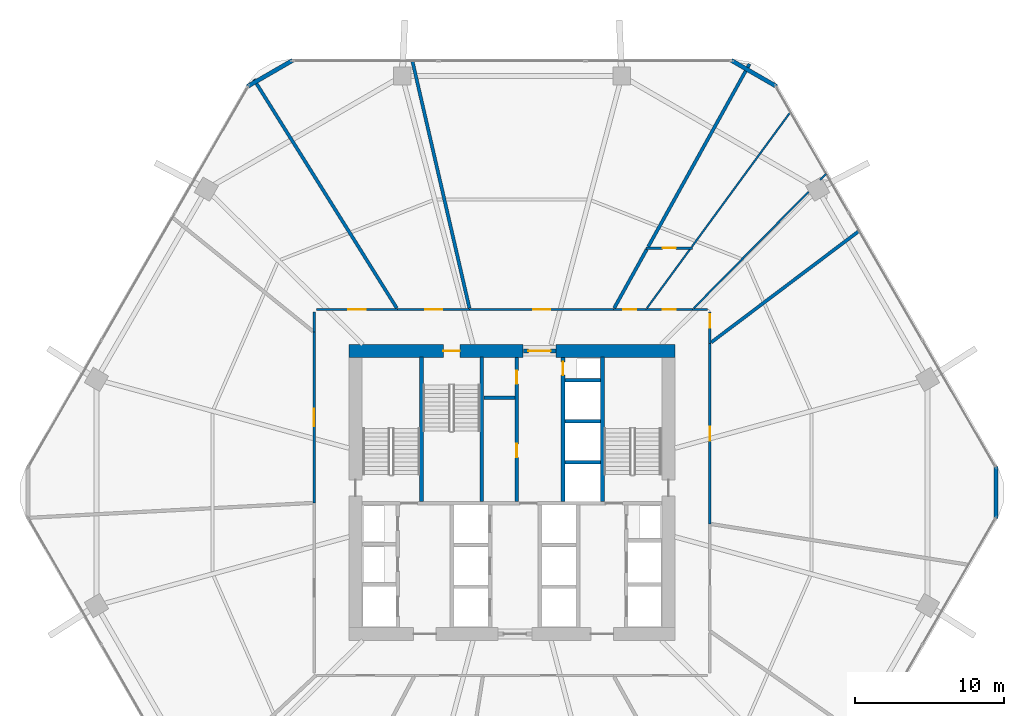
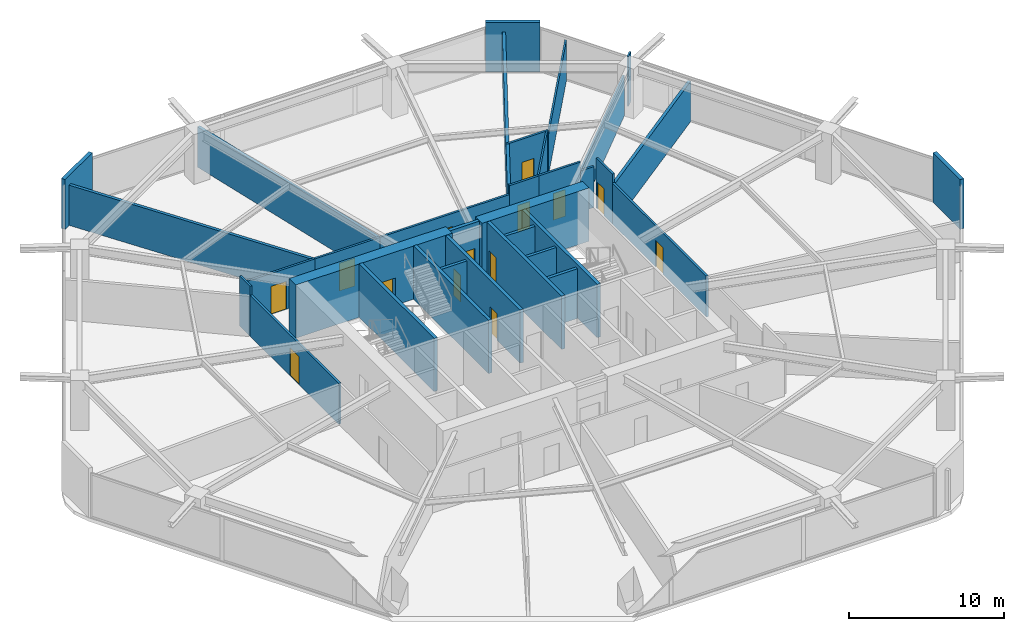
# One storey, part 23 of 26: 35 walls, 14 doors, 14 openings.
"""IFC4 building model written with IfcOpenShell, lengths in metres."""

from ifc_helpers import new_model, si_unit, direction, frame, frame_2d, origin, place, context, subcontext, project, spatial, rectangle, extrude, material, layer, layer_set, type_object, element, fill, save


model = new_model("IFC4")

# Units and contexts
model_context = context("Model", 3, precision=1e-05, world=origin(), true_north=direction((0.0, 1.0)))
body_context = subcontext(model_context, "Body", "Model", "MODEL_VIEW")
ifc_project = project(units=[si_unit("LENGTHUNIT", "METRE"), si_unit("AREAUNIT", "SQUARE_METRE"), si_unit("VOLUMEUNIT", "CUBIC_METRE"), si_unit("PLANEANGLEUNIT", "RADIAN"), si_unit("MASSUNIT", "GRAM", prefix="KILO")], contexts=[model_context])

# Site, building, storey
site_placement = place(None, origin())
site = spatial("IfcSite", under=ifc_project, at=site_placement, CompositionType="ELEMENT")
building_placement = place(site_placement, origin())
building = spatial("IfcBuilding", under=site, at=building_placement, Name="Zuhravey Tower", CompositionType="ELEMENT")
storey_placement = place(building_placement, frame((0.0, 0.0, 28.800048828125)))
storey = spatial("IfcBuildingStorey", under=building, at=storey_placement, Name="L07", CompositionType="ELEMENT", Elevation=28.800048828125)

# Wall
ifc_material_1 = material(Name="Concrete C60/75", Category="concrete")
ifc_layer_1 = layer(ifc_material_1, 0.85009765625)
ifc_layer_set_1 = layer_set([ifc_layer_1], Name="Concrete C60/75")
wall_type_1 = type_object("IfcWallType", Name="Core Shear Wall 850", PredefinedType="SHEAR", material=ifc_layer_set_1)
wall_1_placement = place(storey_placement, frame((46.925048828125, 41.5, 0.0), z_axis=(0.0, 0.0, 1.0), x_axis=(-1.0, 0.0, 0.0)))
element("IfcWall", 1, at=wall_1_placement, inside=storey, type_object=wall_type_1, Name="L07 North-East Core Shear Wall CW85", PredefinedType="SHEAR", context=body_context, shape_type="SweptSolid", body=[
    extrude(rectangle(XDim=7.97509765625, YDim=0.85009765625, at=frame_2d((3.987548828125, 0.0))), origin(), (0.0, 0.0, 1.0), 4.199951171875),
])

# Wall, opening, door
wall_2_placement = place(storey_placement, frame((36.75, 41.5, 0.0), z_axis=(0.0, 0.0, 1.0), x_axis=(-1.0, 0.0, 0.0)))
wall_2 = element("IfcWall", 2, at=wall_2_placement, inside=storey, type_object=wall_type_1, Name="L07 North-West Core Shear Wall CW85", PredefinedType="SHEAR", context=body_context, shape_type="SweptSolid", body=[
    extrude(rectangle(XDim=11.675048828125, YDim=0.85009765625, at=frame_2d((5.83740234375, 0.0))), origin(), (0.0, 0.0, 1.0), 4.199951171875),
])
opening_1_placement = place(wall_2_placement, frame((4.25, 0.0, 0.0)))
opening_1 = element("IfcOpeningElement", 3, at=opening_1_placement, cuts=wall_2, Name="Opening STD1", PredefinedType="OPENING", context=body_context, shape_type="SweptSolid", body=[
    extrude(rectangle(XDim=1.10009765625, YDim=2.14990234375, at=frame_2d((0.550048828125, 1.074951171875))), frame((0.0, 0.43701171875, 0.0), z_axis=(0.0, -1.0, 0.0), x_axis=(1.0, 0.0, 0.0)), (0.0, 0.0, 1.0), 0.8740234375),
])
ifc_material_2 = material(Name="Galvanised fire-rated steel leaf", Category="steel")
door_type_1 = type_object("IfcDoorType", Name="Protected Stair Fire Door 1100x2150", OperationType="NOTDEFINED", PredefinedType="USERDEFINED", material=ifc_material_2)
door_1_placement = place(opening_1_placement, origin())
door_1 = element("IfcDoor", 4, at=door_1_placement, inside=storey, type_object=door_type_1, Name="L07 Stair ST3 Door", ObjectType="EXITDOOR", OperationType="SINGLE_SWING_RIGHT", OverallHeight=2.14990234375, OverallWidth=1.10009765625, PredefinedType="USERDEFINED", context=body_context, shape_type="SweptSolid", body=[
    extrude(rectangle(XDim=1.10009765625, YDim=2.14990234375, at=frame_2d((0.550048828125, 1.074951171875))), frame((0.0, 0.02490234375, 0.0), z_axis=(0.0, -1.0, 0.0), x_axis=(1.0, 0.0, 0.0)), (0.0, 0.0, 1.0), 0.050048828125),
])
fill(opening_1, door_1)

ifc_material_3 = material(Name="Gypsum fire-rated stud partition")
ifc_layer_2 = layer(ifc_material_3, 0.159912109375)
ifc_layer_set_2 = layer_set([ifc_layer_2], Name="Gypsum fire-rated stud partition")
wall_type_2 = type_object("IfcWallType", Name="Corridor Fire Partition 160", PredefinedType="PARTITIONING", material=ifc_layer_set_2)
wall_3_placement = place(storey_placement, frame((49.284912109375, 42.010986328125, 0.0), z_axis=(0.0, 0.0, 1.0), x_axis=(0.0, 1.0, 0.0)))
wall_3 = element("IfcWall", 5, at=wall_3_placement, inside=storey, type_object=wall_type_2, Name="L07 IW16 Partition 019", PredefinedType="PARTITIONING", context=body_context, shape_type="SweptSolid", body=[
    extrude(rectangle(XDim=2.114013671875, YDim=0.159912109375, at=frame_2d((1.05712890625, 0.0))), origin(), (0.0, 0.0, 1.0), 3.919921875),
])
opening_2_placement = place(wall_3_placement, frame((1.047119140625, 0.0, 0.0)))
opening_2 = element("IfcOpeningElement", 6, at=opening_2_placement, cuts=wall_3, Name="Opening RSD1", PredefinedType="OPENING", context=body_context, shape_type="SweptSolid", body=[
    extrude(rectangle(XDim=0.89990234375, YDim=2.10009765625, at=frame_2d((0.449951171875, 1.050048828125))), frame((0.0, 0.092041015625, 0.0), z_axis=(0.0, -1.0, 0.0), x_axis=(1.0, 0.0, 0.0)), (0.0, 0.0, 1.0), 0.183837890625),
])
ifc_material_4 = material(Name="Galvanised fire-rated steel access leaf", Category="steel")
door_type_2 = type_object("IfcDoorType", Name="Riser & Shaft Access Fire Door 900x2100", OperationType="NOTDEFINED", PredefinedType="DOOR", material=ifc_material_4)
door_2_placement = place(opening_2_placement, frame((0.89990234375, 0.0, 0.0), z_axis=(0.0, 0.0, 1.0), x_axis=(-1.0, 0.0, 0.0)))
door_2 = element("IfcDoor", 7, at=door_2_placement, inside=storey, type_object=door_type_2, Name="L07 Door 019.1", OperationType="SINGLE_SWING_RIGHT", OverallHeight=2.10009765625, OverallWidth=0.89990234375, PredefinedType="DOOR", context=body_context, shape_type="SweptSolid", body=[
    extrude(rectangle(XDim=0.89990234375, YDim=2.10009765625, at=frame_2d((0.449951171875, 1.050048828125))), frame((0.0, 0.02490234375, 0.0), z_axis=(0.0, -1.0, 0.0), x_axis=(1.0, 0.0, 0.0)), (0.0, 0.0, 1.0), 0.050048828125),
])
fill(opening_2, door_2)

wall_4_placement = place(storey_placement, frame((48.11474609375, 44.284912109375, 0.0), z_axis=(0.0, 0.0, 1.0), x_axis=(-1.0, 0.0, 0.0)))
wall_4 = element("IfcWall", 8, at=wall_4_placement, inside=storey, type_object=wall_type_2, Name="L07 IW16 Partition 020", PredefinedType="PARTITIONING", context=body_context, shape_type="SweptSolid", body=[
    extrude(rectangle(XDim=3.12353515625, YDim=0.159912109375, at=frame_2d((1.561767578125, 0.0))), origin(), (0.0, 0.0, 1.0), 3.919921875),
])
opening_3_placement = place(wall_4_placement, frame((1.11181640625, 0.0, 0.0)))
opening_3 = element("IfcOpeningElement", 9, at=opening_3_placement, cuts=wall_4, Name="Opening RSD1", PredefinedType="OPENING", context=body_context, shape_type="SweptSolid", body=[
    extrude(rectangle(XDim=0.89990234375, YDim=2.10009765625, at=frame_2d((0.449951171875, 1.050048828125))), frame((0.0, 0.092041015625, 0.0), z_axis=(0.0, -1.0, 0.0), x_axis=(1.0, 0.0, 0.0)), (0.0, 0.0, 1.0), 0.183837890625),
])
door_3_placement = place(opening_3_placement, frame((0.89990234375, 0.0, 0.0), z_axis=(0.0, 0.0, 1.0), x_axis=(-1.0, 0.0, 0.0)))
door_3 = element("IfcDoor", 10, at=door_3_placement, inside=storey, type_object=door_type_2, Name="L07 Door 020.1", OperationType="SINGLE_SWING_LEFT", OverallHeight=2.10009765625, OverallWidth=0.89990234375, PredefinedType="DOOR", context=body_context, shape_type="SweptSolid", body=[
    extrude(rectangle(XDim=0.89990234375, YDim=2.10009765625, at=frame_2d((0.449951171875, 1.050048828125))), frame((0.0, 0.02490234375, 0.0), z_axis=(0.0, -1.0, 0.0), x_axis=(1.0, 0.0, 0.0)), (0.0, 0.0, 1.0), 0.050048828125),
])
fill(opening_3, door_3)

wall_5_placement = place(storey_placement, frame((45.001953125, 48.405029296875, 0.0), z_axis=(0.0, 0.0, 1.0), x_axis=(1.0, 0.0, 0.0)))
wall_5 = element("IfcWall", 11, at=wall_5_placement, inside=storey, type_object=wall_type_2, Name="L07 IW16 Partition 021", PredefinedType="PARTITIONING", context=body_context, shape_type="SweptSolid", body=[
    extrude(rectangle(XDim=3.103759765625, YDim=0.159912109375, at=frame_2d((1.5517578125, 0.0))), origin(), (0.0, 0.0, 1.0), 3.919921875),
])
opening_4_placement = place(wall_5_placement, frame((1.101806640625, 0.0, 0.0)))
opening_4 = element("IfcOpeningElement", 12, at=opening_4_placement, cuts=wall_5, Name="Opening RSD1", PredefinedType="OPENING", context=body_context, shape_type="SweptSolid", body=[
    extrude(rectangle(XDim=0.89990234375, YDim=2.10009765625, at=frame_2d((0.449951171875, 1.050048828125))), frame((0.0, 0.092041015625, 0.0), z_axis=(0.0, -1.0, 0.0), x_axis=(1.0, 0.0, 0.0)), (0.0, 0.0, 1.0), 0.183837890625),
])
door_4_placement = place(opening_4_placement, origin())
door_4 = element("IfcDoor", 13, at=door_4_placement, inside=storey, type_object=door_type_2, Name="L07 Door 021.1", OperationType="SINGLE_SWING_RIGHT", OverallHeight=2.10009765625, OverallWidth=0.89990234375, PredefinedType="DOOR", context=body_context, shape_type="SweptSolid", body=[
    extrude(rectangle(XDim=0.89990234375, YDim=2.10009765625, at=frame_2d((0.449951171875, 1.050048828125))), frame((0.0, 0.02490234375, 0.0), z_axis=(0.0, -1.0, 0.0), x_axis=(1.0, 0.0, 0.0)), (0.0, 0.0, 1.0), 0.050048828125),
])
fill(opening_4, door_4)

wall_6_placement = place(storey_placement, frame((44.9912109375, 44.284912109375, 0.0), z_axis=(0.0, 0.0, 1.0), x_axis=(-1.0, 0.0, 0.0)))
wall_6 = element("IfcWall", 14, at=wall_6_placement, inside=storey, type_object=wall_type_2, Name="L07 IW16 Partition 022", PredefinedType="PARTITIONING", context=body_context, shape_type="SweptSolid", body=[
    extrude(rectangle(XDim=2.181396484375, YDim=0.159912109375, at=frame_2d((1.0908203125, 0.0))), origin(), (0.0, 0.0, 1.0), 3.919921875),
])
opening_5_placement = place(wall_6_placement, frame((0.640869140625, 0.0, 0.0)))
opening_5 = element("IfcOpeningElement", 15, at=opening_5_placement, cuts=wall_6, Name="Opening RSD1", PredefinedType="OPENING", context=body_context, shape_type="SweptSolid", body=[
    extrude(rectangle(XDim=0.89990234375, YDim=2.10009765625, at=frame_2d((0.449951171875, 1.050048828125))), frame((0.0, 0.092041015625, 0.0), z_axis=(0.0, -1.0, 0.0), x_axis=(1.0, 0.0, 0.0)), (0.0, 0.0, 1.0), 0.183837890625),
])
door_5_placement = place(opening_5_placement, frame((0.89990234375, 0.0, 0.0), z_axis=(0.0, 0.0, 1.0), x_axis=(-1.0, 0.0, 0.0)))
door_5 = element("IfcDoor", 16, at=door_5_placement, inside=storey, type_object=door_type_2, Name="L07 Door 022.1", OperationType="SINGLE_SWING_LEFT", OverallHeight=2.10009765625, OverallWidth=0.89990234375, PredefinedType="DOOR", context=body_context, shape_type="SweptSolid", body=[
    extrude(rectangle(XDim=0.89990234375, YDim=2.10009765625, at=frame_2d((0.449951171875, 1.050048828125))), frame((0.0, 0.02490234375, 0.0), z_axis=(0.0, -1.0, 0.0), x_axis=(1.0, 0.0, 0.0)), (0.0, 0.0, 1.0), 0.050048828125),
])
fill(opening_5, door_5)

wall_7_placement = place(storey_placement, frame((42.809814453125, 44.284912109375, 0.0), z_axis=(0.0, 0.0, 1.0), x_axis=(-1.0, 0.0, 0.0)))
wall_7 = element("IfcWall", 17, at=wall_7_placement, inside=storey, type_object=wall_type_2, Name="L07 IW16 Partition 023", PredefinedType="PARTITIONING", context=body_context, shape_type="SweptSolid", body=[
    extrude(rectangle(XDim=9.64599609375, YDim=0.159912109375, at=frame_2d((4.822998046875, 0.0))), origin(), (0.0, 0.0, 1.0), 3.219970703125),
])
opening_6_placement = place(wall_7_placement, frame((4.247802734375, 0.0, 0.0)))
opening_6 = element("IfcOpeningElement", 18, at=opening_6_placement, cuts=wall_7, Name="Opening CLD1", PredefinedType="OPENING", context=body_context, shape_type="SweptSolid", body=[
    extrude(rectangle(XDim=1.14990234375, YDim=2.199951171875, at=frame_2d((0.574951171875, 1.10009765625))), frame((0.0, 0.092041015625, 0.0), z_axis=(0.0, -1.0, 0.0), x_axis=(1.0, 0.0, 0.0)), (0.0, 0.0, 1.0), 0.183837890625),
])
ifc_material_5 = material(Name="Acoustic timber leaf with vision lite", Category="wood")
door_type_3 = type_object("IfcDoorType", Name="Classroom Acoustic Door 1150x2200", OperationType="NOTDEFINED", PredefinedType="DOOR", material=ifc_material_5)
door_6_placement = place(opening_6_placement, frame((1.14990234375, 0.0, 0.0), z_axis=(0.0, 0.0, 1.0), x_axis=(-1.0, 0.0, 0.0)))
door_6 = element("IfcDoor", 19, at=door_6_placement, inside=storey, type_object=door_type_3, Name="L07 Door 023.1", OperationType="SINGLE_SWING_RIGHT", OverallHeight=2.199951171875, OverallWidth=1.14990234375, PredefinedType="DOOR", context=body_context, shape_type="SweptSolid", body=[
    extrude(rectangle(XDim=1.14990234375, YDim=2.199951171875, at=frame_2d((0.574951171875, 1.10009765625))), frame((0.0, 0.02490234375, 0.0), z_axis=(0.0, -1.0, 0.0), x_axis=(1.0, 0.0, 0.0)), (0.0, 0.0, 1.0), 0.050048828125),
])
fill(opening_6, door_6)

wall_8_placement = place(storey_placement, frame((33.163818359375, 44.284912109375, 0.0), z_axis=(0.0, 0.0, 1.0), x_axis=(-1.0, 0.0, 0.0)))
wall_8 = element("IfcWall", 20, at=wall_8_placement, inside=storey, type_object=wall_type_2, Name="L07 IW16 Partition 024", PredefinedType="PARTITIONING", context=body_context, shape_type="SweptSolid", body=[
    extrude(rectangle(XDim=4.84033203125, YDim=0.159912109375, at=frame_2d((2.420166015625, 0.0))), origin(), (0.0, 0.0, 1.0), 3.219970703125),
])
opening_7_placement = place(wall_8_placement, frame((1.84521484375, 0.0, 0.0)))
opening_7 = element("IfcOpeningElement", 21, at=opening_7_placement, cuts=wall_8, Name="Opening CLD1", PredefinedType="OPENING", context=body_context, shape_type="SweptSolid", body=[
    extrude(rectangle(XDim=1.14990234375, YDim=2.199951171875, at=frame_2d((0.574951171875, 1.10009765625))), frame((0.0, 0.092041015625, 0.0), z_axis=(0.0, -1.0, 0.0), x_axis=(1.0, 0.0, 0.0)), (0.0, 0.0, 1.0), 0.183837890625),
])
door_7_placement = place(opening_7_placement, frame((1.14990234375, 0.0, 0.0), z_axis=(0.0, 0.0, 1.0), x_axis=(-1.0, 0.0, 0.0)))
door_7 = element("IfcDoor", 22, at=door_7_placement, inside=storey, type_object=door_type_3, Name="L07 Door 024.1", OperationType="SINGLE_SWING_LEFT", OverallHeight=2.199951171875, OverallWidth=1.14990234375, PredefinedType="DOOR", context=body_context, shape_type="SweptSolid", body=[
    extrude(rectangle(XDim=1.14990234375, YDim=2.199951171875, at=frame_2d((0.574951171875, 1.10009765625))), frame((0.0, 0.02490234375, 0.0), z_axis=(0.0, -1.0, 0.0), x_axis=(1.0, 0.0, 0.0)), (0.0, 0.0, 1.0), 0.050048828125),
])
fill(opening_7, door_7)

wall_9_placement = place(storey_placement, frame((28.323486328125, 44.284912109375, 0.0), z_axis=(0.0, 0.0, 1.0), x_axis=(-1.0, 0.0, 0.0)))
wall_9 = element("IfcWall", 23, at=wall_9_placement, inside=storey, type_object=wall_type_2, Name="L07 IW16 Partition 025", PredefinedType="PARTITIONING", context=body_context, shape_type="SweptSolid", body=[
    extrude(rectangle(XDim=5.448486328125, YDim=0.159912109375, at=frame_2d((2.72412109375, 0.0))), origin(), (0.0, 0.0, 1.0), 3.219970703125),
])
opening_8_placement = place(wall_9_placement, frame((2.149169921875, 0.0, 0.0)))
opening_8 = element("IfcOpeningElement", 24, at=opening_8_placement, cuts=wall_9, Name="Opening CLD1", PredefinedType="OPENING", context=body_context, shape_type="SweptSolid", body=[
    extrude(rectangle(XDim=1.14990234375, YDim=2.199951171875, at=frame_2d((0.574951171875, 1.10009765625))), frame((0.0, 0.092041015625, 0.0), z_axis=(0.0, -1.0, 0.0), x_axis=(1.0, 0.0, 0.0)), (0.0, 0.0, 1.0), 0.183837890625),
])
door_8_placement = place(opening_8_placement, frame((1.14990234375, 0.0, 0.0), z_axis=(0.0, 0.0, 1.0), x_axis=(-1.0, 0.0, 0.0)))
door_8 = element("IfcDoor", 25, at=door_8_placement, inside=storey, type_object=door_type_3, Name="L07 Door 025.1", OperationType="SINGLE_SWING_RIGHT", OverallHeight=2.199951171875, OverallWidth=1.14990234375, PredefinedType="DOOR", context=body_context, shape_type="SweptSolid", body=[
    extrude(rectangle(XDim=1.14990234375, YDim=2.199951171875, at=frame_2d((0.574951171875, 1.10009765625))), frame((0.0, 0.02490234375, 0.0), z_axis=(0.0, -1.0, 0.0), x_axis=(1.0, 0.0, 0.0)), (0.0, 0.0, 1.0), 0.050048828125),
])
fill(opening_8, door_8)

wall_10_placement = place(storey_placement, frame((22.715087890625, 42.758056640625, 0.0), z_axis=(0.0, 0.0, 1.0), x_axis=(0.0, -1.0, 0.0)))
wall_10 = element("IfcWall", 26, at=wall_10_placement, inside=storey, type_object=wall_type_2, Name="L07 IW16 Partition 026", PredefinedType="PARTITIONING", context=body_context, shape_type="SweptSolid", body=[
    extrude(rectangle(XDim=11.454345703125, YDim=0.159912109375, at=frame_2d((5.72705078125, 0.0))), origin(), (0.0, 0.0, 1.0), 3.219970703125),
])
opening_9_placement = place(wall_10_placement, frame((5.152099609375, 0.0, 0.0)))
opening_9 = element("IfcOpeningElement", 27, at=opening_9_placement, cuts=wall_10, Name="Opening CLD1", PredefinedType="OPENING", context=body_context, shape_type="SweptSolid", body=[
    extrude(rectangle(XDim=1.14990234375, YDim=2.199951171875, at=frame_2d((0.574951171875, 1.10009765625))), frame((0.0, 0.092041015625, 0.0), z_axis=(0.0, -1.0, 0.0), x_axis=(1.0, 0.0, 0.0)), (0.0, 0.0, 1.0), 0.183837890625),
])
door_9_placement = place(opening_9_placement, frame((1.14990234375, 0.0, 0.0), z_axis=(0.0, 0.0, 1.0), x_axis=(-1.0, 0.0, 0.0)))
door_9 = element("IfcDoor", 28, at=door_9_placement, inside=storey, type_object=door_type_3, Name="L07 Door 026.1", OperationType="SINGLE_SWING_LEFT", OverallHeight=2.199951171875, OverallWidth=1.14990234375, PredefinedType="DOOR", context=body_context, shape_type="SweptSolid", body=[
    extrude(rectangle(XDim=1.14990234375, YDim=2.199951171875, at=frame_2d((0.574951171875, 1.10009765625))), frame((0.0, 0.02490234375, 0.0), z_axis=(0.0, -1.0, 0.0), x_axis=(1.0, 0.0, 0.0)), (0.0, 0.0, 1.0), 0.050048828125),
])
fill(opening_9, door_9)

wall_11_placement = place(storey_placement, frame((49.284912109375, 29.89599609375, 0.0), z_axis=(0.0, 0.0, 1.0), x_axis=(0.0, 1.0, 0.0)))
wall_11 = element("IfcWall", 29, at=wall_11_placement, inside=storey, type_object=wall_type_2, Name="L07 IW16 Partition 033", PredefinedType="PARTITIONING", context=body_context, shape_type="SweptSolid", body=[
    extrude(rectangle(XDim=12.114990234375, YDim=0.159912109375, at=frame_2d((6.0576171875, 0.0))), origin(), (0.0, 0.0, 1.0), 3.219970703125),
])
opening_10_placement = place(wall_11_placement, frame((5.58251953125, 0.0, 0.0)))
opening_10 = element("IfcOpeningElement", 30, at=opening_10_placement, cuts=wall_11, Name="Opening IND1", PredefinedType="OPENING", context=body_context, shape_type="SweptSolid", body=[
    extrude(rectangle(XDim=0.949951171875, YDim=2.10009765625, at=frame_2d((0.47509765625, 1.050048828125))), frame((0.0, 0.092041015625, 0.0), z_axis=(0.0, -1.0, 0.0), x_axis=(1.0, 0.0, 0.0)), (0.0, 0.0, 1.0), 0.183837890625),
])
ifc_material_6 = material(Name="Painted engineered timber leaf", Category="wood")
door_type_4 = type_object("IfcDoorType", Name="Internal Room & Bedroom Door 950x2100", OperationType="NOTDEFINED", PredefinedType="DOOR", material=ifc_material_6)
door_10_placement = place(opening_10_placement, frame((0.949951171875, 0.0, 0.0), z_axis=(0.0, 0.0, 1.0), x_axis=(-1.0, 0.0, 0.0)))
door_10 = element("IfcDoor", 31, at=door_10_placement, inside=storey, type_object=door_type_4, Name="L07 Door 033.1", OperationType="SINGLE_SWING_RIGHT", OverallHeight=2.10009765625, OverallWidth=0.949951171875, PredefinedType="DOOR", context=body_context, shape_type="SweptSolid", body=[
    extrude(rectangle(XDim=0.949951171875, YDim=2.10009765625, at=frame_2d((0.47509765625, 1.050048828125))), frame((0.0, 0.02490234375, 0.0), z_axis=(0.0, -1.0, 0.0), x_axis=(1.0, 0.0, 0.0)), (0.0, 0.0, 1.0), 0.050048828125),
])
fill(opening_10, door_10)

# Walls
wall_12_placement = place(storey_placement, frame((49.125, 44.284912109375, 0.0), z_axis=(0.0, 0.0, 1.0), x_axis=(-1.0, 0.0, 0.0)))
element("IfcWall", 32, at=wall_12_placement, inside=storey, type_object=wall_type_2, Name="L07 IW16 Partition 043", PredefinedType="PARTITIONING", context=body_context, shape_type="SweptSolid", body=[
    extrude(rectangle(XDim=1.01025390625, YDim=0.159912109375, at=frame_2d((0.505126953125, 0.0))), origin(), (0.0, 0.0, 1.0), 3.219970703125),
])
wall_13_placement = place(storey_placement, frame((22.715087890625, 44.125, 0.0), z_axis=(0.0, 0.0, 1.0), x_axis=(0.0, -1.0, 0.0)))
element("IfcWall", 33, at=wall_13_placement, inside=storey, type_object=wall_type_2, Name="L07 IW16 Partition 052", PredefinedType="PARTITIONING", context=body_context, shape_type="SweptSolid", body=[
    extrude(rectangle(XDim=1.366943359375, YDim=0.159912109375, at=frame_2d((0.68359375, 0.0))), origin(), (0.0, 0.0, 1.0), 3.919921875),
])
ifc_material_7 = material(Name="Precast concrete C40/50", Category="concrete")
ifc_layer_3 = layer(ifc_material_7, 0.280029296875)
ifc_layer_set_3 = layer_set([ifc_layer_3], Name="Precast concrete C40/50")
wall_type_3 = type_object("IfcWallType", Name="Crown Architectural Wall 280", PredefinedType="SOLIDWALL", material=ifc_layer_set_3)
for number, where, z_axis, x_axis, name in (
    (34, (18.23876953125, 59.24853515625, 0.0), (0.0, 0.0, 1.0), (0.866007452331, 0.500031091541, 0.0), "L07 Rounded Corner Closure Wall EW28-08"),
    (35, (50.71728515625, 61.006103515625, 0.0), (0.0, 0.0, 1.0), (0.866007452331, -0.500031091541, 0.0), "L07 Rounded Corner Closure Wall EW28-10"),
):
    element("IfcWall", number, at=place(storey_placement, frame(where, z_axis=z_axis, x_axis=x_axis)), inside=storey, type_object=wall_type_3, Name=name, PredefinedType="SOLIDWALL", context=body_context, shape_type="SweptSolid", body=[
        extrude(rectangle(XDim=3.514892578125, YDim=0.280029296875, at=frame_2d((1.75732421875, 0.0))), origin(), (0.0, 0.0, 1.0), 3.919921875),
    ])
wall_14_placement = place(storey_placement, frame((68.478515625, 33.757568359375, 0.0), z_axis=(0.0, 0.0, 1.0), x_axis=(0.0, -1.0, 0.0)))
element("IfcWall", 36, at=wall_14_placement, inside=storey, type_object=wall_type_3, Name="L07 Rounded Corner Closure Wall EW28-12", PredefinedType="SOLIDWALL", context=body_context, shape_type="SweptSolid", body=[
    extrude(rectangle(XDim=3.51513671875, YDim=0.280029296875, at=frame_2d((1.757568359375, 0.0))), origin(), (0.0, 0.0, 1.0), 3.919921875),
])

# Wall, opening, door
ifc_material_8 = material(Name="Concrete C50/60", Category="concrete")
ifc_layer_4 = layer(ifc_material_8, 0.25)
ifc_layer_set_4 = layer_set([ifc_layer_4], Name="Concrete C50/60")
wall_type_4 = type_object("IfcWallType", Name="Firefighting Shaft & Stair Wall 250", PredefinedType="SOLIDWALL", material=ifc_layer_set_4)
wall_15_placement = place(storey_placement, frame((36.760009765625, 41.5, 0.0), z_axis=(0.0, 0.0, 1.0), x_axis=(1.0, 0.0, 0.0)))
wall_15 = element("IfcWall", 37, at=wall_15_placement, inside=storey, type_object=wall_type_4, Name="L07 FW25 Shaft Wall 002", PredefinedType="SOLIDWALL", context=body_context, shape_type="SweptSolid", body=[
    extrude(rectangle(XDim=2.179931640625, YDim=0.25, at=frame_2d((1.08984375, 0.0))), origin(), (0.0, 0.0, 1.0), 4.199951171875),
])
opening_11_placement = place(wall_15_placement, frame((0.340087890625, 0.0, 0.0)))
opening_11 = element("IfcOpeningElement", 38, at=opening_11_placement, cuts=wall_15, Name="Opening FFD1", PredefinedType="OPENING", context=body_context, shape_type="SweptSolid", body=[
    extrude(rectangle(XDim=1.5, YDim=2.14990234375, at=frame_2d((0.75, 1.074951171875))), frame((0.0, 0.136962890625, 0.0), z_axis=(0.0, -1.0, 0.0), x_axis=(1.0, 0.0, 0.0)), (0.0, 0.0, 1.0), 0.27392578125),
])
door_type_5 = type_object("IfcDoorType", Name="Firefighting Lobby Double Door 1500x2150", OperationType="DOUBLE_DOOR_SINGLE_SWING", PredefinedType="DOOR", material=ifc_material_2)
door_11_placement = place(opening_11_placement, origin())
door_11 = element("IfcDoor", 39, at=door_11_placement, inside=storey, type_object=door_type_5, Name="L07 North Lift Lobby Exit Door", OperationType="DOUBLE_DOOR_SINGLE_SWING", OverallHeight=2.14990234375, OverallWidth=1.5, PredefinedType="DOOR", context=body_context, shape_type="SweptSolid", body=[
    extrude(rectangle(XDim=1.5, YDim=2.14990234375, at=frame_2d((0.75, 1.074951171875))), frame((0.0, 0.02490234375, 0.0), z_axis=(0.0, -1.0, 0.0), x_axis=(1.0, 0.0, 0.0)), (0.0, 0.0, 1.0), 0.050048828125),
])
fill(opening_11, door_11)

# Walls
for number, where, z_axis, x_axis, name in (
    (40, (29.925048828125, 31.39990234375, 0.0), (0.0, 0.0, 1.0), (0.0, 1.0, 0.0), "L07 FW25 Shaft Wall 004"),
    (41, (33.97509765625, 31.39990234375, 0.0), (0.0, 0.0, 1.0), (0.0, 1.0, 0.0), "L07 FW25 Shaft Wall 005"),
    (42, (42.074951171875, 31.39990234375, 0.0), (0.0, 0.0, 1.0), (0.0, 1.0, 0.0), "L07 FW25 Shaft Wall 006"),
):
    element("IfcWall", number, at=place(storey_placement, frame(where, z_axis=z_axis, x_axis=x_axis)), inside=storey, type_object=wall_type_4, Name=name, PredefinedType="SOLIDWALL", context=body_context, shape_type="SweptSolid", body=[
        extrude(rectangle(XDim=9.7001953125, YDim=0.25, at=frame_2d((4.85009765625, 0.0))), origin(), (0.0, 0.0, 1.0), 4.199951171875),
    ])

# Wall, openings, doors
wall_16_placement = place(storey_placement, frame((36.324951171875, 31.39990234375, 0.0), z_axis=(0.0, 0.0, 1.0), x_axis=(0.0, 1.0, 0.0)))
wall_16 = element("IfcWall", 43, at=wall_16_placement, inside=storey, type_object=wall_type_4, Name="L07 FW25 Shaft Wall 007", PredefinedType="SOLIDWALL", context=body_context, shape_type="SweptSolid", body=[
    extrude(rectangle(XDim=9.650146484375, YDim=0.25, at=frame_2d((4.8251953125, 0.0))), origin(), (0.0, 0.0, 1.0), 4.199951171875),
])
opening_12_placement = place(wall_16_placement, frame((2.965087890625, 0.0, 0.0)))
opening_12 = element("IfcOpeningElement", 44, at=opening_12_placement, cuts=wall_16, Name="Opening RSD1", PredefinedType="OPENING", context=body_context, shape_type="SweptSolid", body=[
    extrude(rectangle(XDim=0.89990234375, YDim=2.10009765625, at=frame_2d((0.449951171875, 1.050048828125))), frame((0.0, 0.136962890625, 0.0), z_axis=(0.0, -1.0, 0.0), x_axis=(1.0, 0.0, 0.0)), (0.0, 0.0, 1.0), 0.27392578125),
])
opening_13_placement = place(wall_16_placement, frame((7.885009765625, 0.0, 0.0)))
opening_13 = element("IfcOpeningElement", 45, at=opening_13_placement, cuts=wall_16, Name="Opening RSD1", PredefinedType="OPENING", context=body_context, shape_type="SweptSolid", body=[
    extrude(rectangle(XDim=0.89990234375, YDim=2.10009765625, at=frame_2d((0.449951171875, 1.050048828125))), frame((0.0, 0.136962890625, 0.0), z_axis=(0.0, -1.0, 0.0), x_axis=(1.0, 0.0, 0.0)), (0.0, 0.0, 1.0), 0.27392578125),
])
door_12_placement = place(opening_12_placement, origin())
door_12 = element("IfcDoor", 46, at=door_12_placement, inside=storey, type_object=door_type_2, Name="L07 Equipment and Refuse Store Door", OperationType="SINGLE_SWING_RIGHT", OverallHeight=2.10009765625, OverallWidth=0.89990234375, PredefinedType="DOOR", context=body_context, shape_type="SweptSolid", body=[
    extrude(rectangle(XDim=0.89990234375, YDim=2.10009765625, at=frame_2d((0.449951171875, 1.050048828125))), frame((0.0, 0.02490234375, 0.0), z_axis=(0.0, -1.0, 0.0), x_axis=(1.0, 0.0, 0.0)), (0.0, 0.0, 1.0), 0.050048828125),
])
fill(opening_12, door_12)
door_13_placement = place(opening_13_placement, origin())
door_13 = element("IfcDoor", 47, at=door_13_placement, inside=storey, type_object=door_type_2, Name="L07 BMS Control Room Door", OperationType="SINGLE_SWING_LEFT", OverallHeight=2.10009765625, OverallWidth=0.89990234375, PredefinedType="DOOR", context=body_context, shape_type="SweptSolid", body=[
    extrude(rectangle(XDim=0.89990234375, YDim=2.10009765625, at=frame_2d((0.449951171875, 1.050048828125))), frame((0.0, 0.02490234375, 0.0), z_axis=(0.0, -1.0, 0.0), x_axis=(1.0, 0.0, 0.0)), (0.0, 0.0, 1.0), 0.050048828125),
])
fill(opening_13, door_13)

# Wall, opening, door
wall_17_placement = place(storey_placement, frame((39.425048828125, 31.39990234375, 0.0), z_axis=(0.0, 0.0, 1.0), x_axis=(0.0, 1.0, 0.0)))
wall_17 = element("IfcWall", 48, at=wall_17_placement, inside=storey, type_object=wall_type_4, Name="L07 FW25 Shaft Wall 008", PredefinedType="SOLIDWALL", context=body_context, shape_type="SweptSolid", body=[
    extrude(rectangle(XDim=9.650146484375, YDim=0.25, at=frame_2d((4.8251953125, 0.0))), origin(), (0.0, 0.0, 1.0), 4.199951171875),
])
opening_14_placement = place(wall_17_placement, frame((8.469970703125, 0.0, 0.0)))
opening_14 = element("IfcOpeningElement", 49, at=opening_14_placement, cuts=wall_17, Name="Opening RSD1", PredefinedType="OPENING", context=body_context, shape_type="SweptSolid", body=[
    extrude(rectangle(XDim=0.89990234375, YDim=2.10009765625, at=frame_2d((0.449951171875, 1.050048828125))), frame((0.0, 0.136962890625, 0.0), z_axis=(0.0, -1.0, 0.0), x_axis=(1.0, 0.0, 0.0)), (0.0, 0.0, 1.0), 0.27392578125),
])
door_14_placement = place(opening_14_placement, origin())
door_14 = element("IfcDoor", 50, at=door_14_placement, inside=storey, type_object=door_type_2, Name="L07 North Riser Door", OperationType="SINGLE_SWING_RIGHT", OverallHeight=2.10009765625, OverallWidth=0.89990234375, PredefinedType="DOOR", context=body_context, shape_type="SweptSolid", body=[
    extrude(rectangle(XDim=0.89990234375, YDim=2.10009765625, at=frame_2d((0.449951171875, 1.050048828125))), frame((0.0, 0.02490234375, 0.0), z_axis=(0.0, -1.0, 0.0), x_axis=(1.0, 0.0, 0.0)), (0.0, 0.0, 1.0), 0.050048828125),
])
fill(opening_14, door_14)

# Walls
ifc_material_9 = material(Name="Gypsum acoustic stud assembly")
ifc_layer_5 = layer(ifc_material_9, 0.219970703125)
ifc_layer_set_5 = layer_set([ifc_layer_5], Name="Gypsum acoustic stud assembly")
wall_type_5 = type_object("IfcWallType", Name="School Acoustic Compartment Wall 220", PredefinedType="PARTITIONING", material=ifc_layer_set_5)
wall_18_placement = place(storey_placement, frame((34.10791015625, 38.35009765625, 0.0), z_axis=(0.0, 0.0, 1.0), x_axis=(1.0, 0.0, 0.0)))
element("IfcWall", 51, at=wall_18_placement, inside=storey, type_object=wall_type_5, Name="L07 IW22 Partition 034", PredefinedType="PARTITIONING", context=body_context, shape_type="SweptSolid", body=[
    extrude(rectangle(XDim=2.083984375, YDim=0.219970703125, at=frame_2d((1.0419921875, 0.0))), origin(), (0.0, 0.0, 1.0), 3.919921875),
])
for number, where, z_axis, x_axis, name in (
    (52, (39.55810546875, 34.02490234375, 0.0), (0.0, 0.0, 1.0), (1.0, 0.0, 0.0), "L07 IW22 Partition 035"),
    (53, (39.55810546875, 36.77490234375, 0.0), (0.0, 0.0, 1.0), (1.0, 0.0, 0.0), "L07 IW22 Partition 036"),
    (54, (39.55810546875, 39.52490234375, 0.0), (0.0, 0.0, 1.0), (1.0, 0.0, 0.0), "L07 IW22 Partition 037"),
):
    element("IfcWall", number, at=place(storey_placement, frame(where, z_axis=z_axis, x_axis=x_axis)), inside=storey, type_object=wall_type_5, Name=name, PredefinedType="PARTITIONING", context=body_context, shape_type="SweptSolid", body=[
        extrude(rectangle(XDim=2.3837890625, YDim=0.219970703125, at=frame_2d((1.19189453125, 0.0))), origin(), (0.0, 0.0, 1.0), 3.919921875),
    ])
wall_19_placement = place(storey_placement, frame((49.373046875, 42.077392578125, 0.0), z_axis=(0.0, 0.0, 1.0), x_axis=(0.798630996951, 0.601821012187, 0.0)))
element("IfcWall", 55, at=wall_19_placement, inside=storey, type_object=wall_type_5, Name="L07 IW22 Partition 042", PredefinedType="PARTITIONING", context=body_context, shape_type="SweptSolid", body=[
    extrude(rectangle(XDim=12.430908203125, YDim=0.219970703125, at=frame_2d((6.21533203125, 0.0))), origin(), (0.0, 0.0, 1.0), 3.169921875),
])
wall_20_placement = place(storey_placement, frame((42.8583984375, 44.373046875, 0.0), z_axis=(0.0, 0.0, 1.0), x_axis=(0.484838262691, 0.87460382976, 0.0)))
element("IfcWall", 56, at=wall_20_placement, inside=storey, type_object=wall_type_5, Name="L07 IW22 Partition 048", PredefinedType="PARTITIONING", context=body_context, shape_type="SweptSolid", body=[
    extrude(rectangle(XDim=4.50927734375, YDim=0.219970703125, at=frame_2d((2.254638671875, 0.0))), origin(), (0.0, 0.0, 1.0), 3.919921875),
])
wall_21_placement = place(storey_placement, frame((45.14208984375, 48.492919921875, 0.0), z_axis=(0.0, 0.0, 1.0), x_axis=(0.484815156974, 0.874616638058, 0.0)))
element("IfcWall", 57, at=wall_21_placement, inside=storey, type_object=wall_type_5, Name="L07 IW22 Partition 049", PredefinedType="PARTITIONING", context=body_context, shape_type="SweptSolid", body=[
    extrude(rectangle(XDim=14.027099609375, YDim=0.219970703125, at=frame_2d((7.013671875, 0.0))), origin(), (0.0, 0.0, 1.0), 3.169921875),
])
wall_22_placement = place(storey_placement, frame((33.1435546875, 44.373046875, 0.0), z_axis=(0.0, 0.0, 1.0), x_axis=(-0.224953781902, 0.974369435075, 0.0)))
element("IfcWall", 58, at=wall_22_placement, inside=storey, type_object=wall_type_5, Name="L07 IW22 Partition 050", PredefinedType="PARTITIONING", context=body_context, shape_type="SweptSolid", body=[
    extrude(rectangle(XDim=17.021728515625, YDim=0.219970703125, at=frame_2d((8.5107421875, 0.0))), origin(), (0.0, 0.0, 1.0), 3.169921875),
])
wall_23_placement = place(storey_placement, frame((28.2685546875, 44.373046875, 0.0), z_axis=(0.0, 0.0, 1.0), x_axis=(-0.529928627855, 0.848042245044, 0.0)))
element("IfcWall", 59, at=wall_23_placement, inside=storey, type_object=wall_type_5, Name="L07 IW22 Partition 051", PredefinedType="PARTITIONING", context=body_context, shape_type="SweptSolid", body=[
    extrude(rectangle(XDim=18.10302734375, YDim=0.219970703125, at=frame_2d((9.051513671875, 0.0))), origin(), (0.0, 0.0, 1.0), 3.169921875),
])
ifc_material_10 = material(Name="Gypsum metal-stud partition")
ifc_layer_6 = layer(ifc_material_10, 0.1201171875)
ifc_layer_set_6 = layer_set([ifc_layer_6], Name="Gypsum metal-stud partition")
wall_type_6 = type_object("IfcWallType", Name="Unit Internal Partition 120", PredefinedType="PARTITIONING", material=ifc_layer_set_6)
wall_24_placement = place(storey_placement, frame((48.201416015625, 44.373046875, 0.0), z_axis=(0.0, 0.0, 1.0), x_axis=(0.702156728527, 0.712022421405, 0.0)))
element("IfcWall", 60, at=wall_24_placement, inside=storey, type_object=wall_type_6, Name="L07 IW12 Partition 044", PredefinedType="PARTITIONING", context=body_context, shape_type="SweptSolid", body=[
    extrude(rectangle(XDim=10.962646484375, YDim=0.1201171875, at=frame_2d((5.4814453125, 0.0))), origin(), (0.0, 0.0, 1.0), 3.219970703125),
])
wall_25_placement = place(storey_placement, frame((56.68603515625, 52.976806640625, 0.0), z_axis=(0.0, 0.0, 1.0), x_axis=(0.702004585151, 0.712172424646, 0.0)))
element("IfcWall", 61, at=wall_25_placement, inside=storey, type_object=wall_type_6, Name="L07 IW12 Partition 045", PredefinedType="PARTITIONING", context=body_context, shape_type="SweptSolid", body=[
    extrude(rectangle(XDim=0.576171875, YDim=0.1201171875, at=frame_2d((0.2880859375, 0.0))), origin(), (0.0, 0.0, 1.0), 3.919921875),
])
wall_26_placement = place(storey_placement, frame((45.0556640625, 44.373046875, 0.0), z_axis=(0.0, 0.0, 1.0), x_axis=(0.590607595118, 0.806958901425, 0.0)))
element("IfcWall", 62, at=wall_26_placement, inside=storey, type_object=wall_type_6, Name="L07 IW12 Partition 046", PredefinedType="PARTITIONING", context=body_context, shape_type="SweptSolid", body=[
    extrude(rectangle(XDim=4.88720703125, YDim=0.1201171875, at=frame_2d((2.443603515625, 0.0))), origin(), (0.0, 0.0, 1.0), 3.919921875),
])
wall_27_placement = place(storey_placement, frame((48.071044921875, 48.492919921875, 0.0), z_axis=(0.0, 0.0, 1.0), x_axis=(0.590600620108, 0.80696400634, 0.0)))
element("IfcWall", 63, at=wall_27_placement, inside=storey, type_object=wall_type_6, Name="L07 IW12 Partition 047", PredefinedType="PARTITIONING", context=body_context, shape_type="SweptSolid", body=[
    extrude(rectangle(XDim=11.211669921875, YDim=0.1201171875, at=frame_2d((5.60595703125, 0.0))), origin(), (0.0, 0.0, 1.0), 3.169921875),
])

save(model, "model.ifc")
